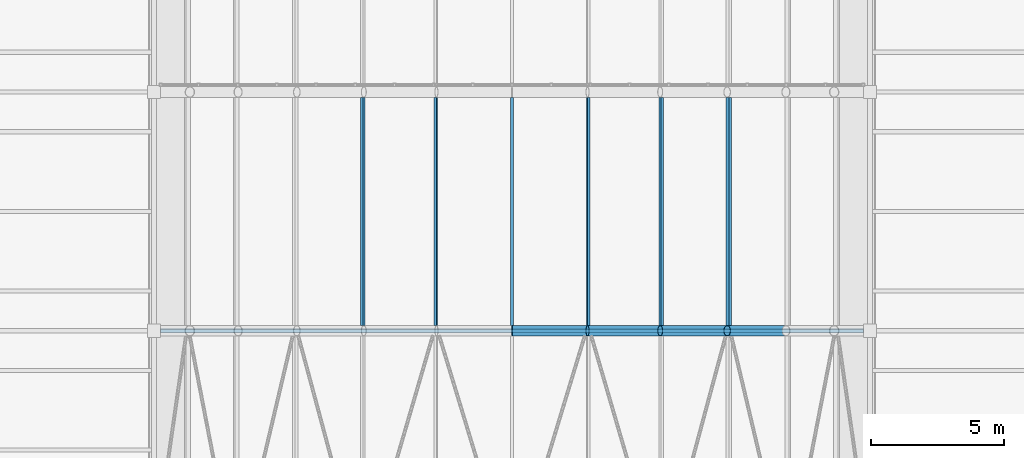
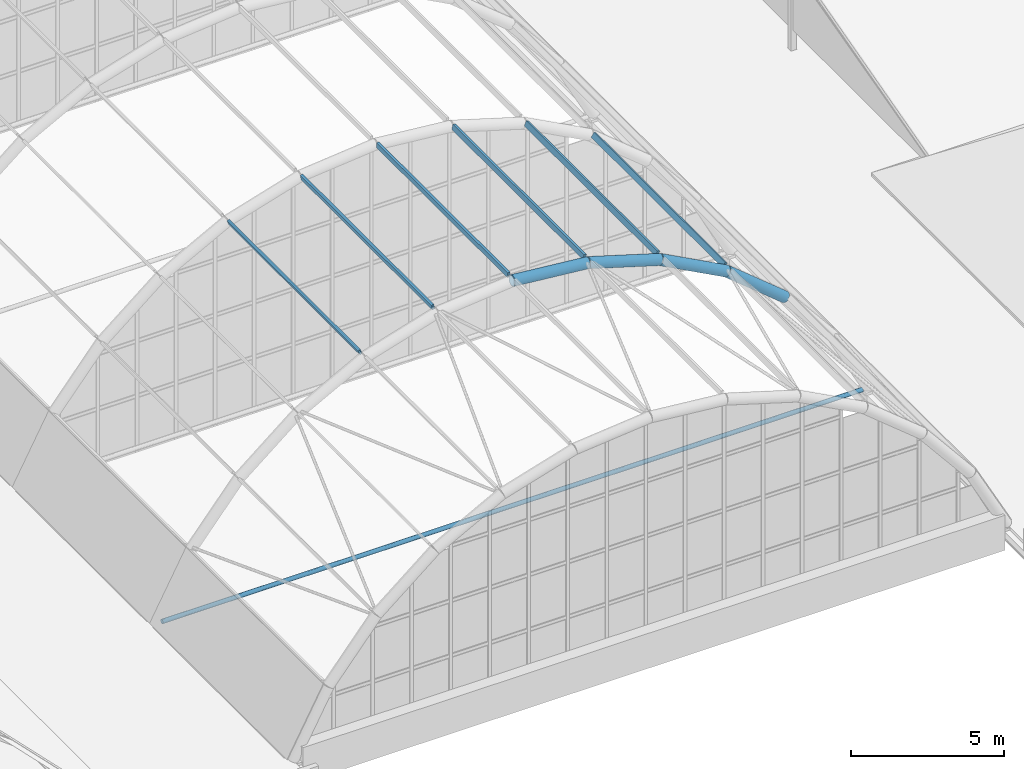
# One storey, part 25 of 121: 11 members.
"""IFC4 building model written with IfcOpenShell, lengths in metres."""

from ifc_helpers import new_model, si_unit, direction, frame, origin, origin_2d, place, context, subcontext, project, spatial, hollow_rectangle, hollow_circle, extrude, material, material_profile, profile_set, type_object, element, save


model = new_model("IFC4")

# Units and contexts
model_context = context("Model", 3, precision=1e-05, world=origin(), true_north=direction((0.0, 1.0)))
body_context = subcontext(model_context, "Body", "Model", "MODEL_VIEW")
ifc_project = project(units=[si_unit("LENGTHUNIT", "METRE"), si_unit("AREAUNIT", "SQUARE_METRE"), si_unit("VOLUMEUNIT", "CUBIC_METRE"), si_unit("PLANEANGLEUNIT", "RADIAN"), si_unit("MASSUNIT", "GRAM", prefix="KILO")], contexts=[model_context])

# Site, building, storey
site_placement = place(None, origin())
site = spatial("IfcSite", under=ifc_project, at=site_placement, CompositionType="ELEMENT")
building_placement = place(site_placement, origin())
building = spatial("IfcBuilding", under=site, at=building_placement, Name="Golden Quay Civic Hall", CompositionType="ELEMENT")
storey_placement = place(building_placement, frame((0.0, 0.0, 18.60009765625)))
storey = spatial("IfcBuildingStorey", under=building, at=storey_placement, Name="L04", CompositionType="ELEMENT", Elevation=18.60009765625)

# Members
ifc_material_1 = material(Name="Steel S355", Category="steel")
ifc_material_profile_1 = material_profile(ifc_material_1, hollow_circle(Radius=0.203125, WallThickness=0.01611328125, at=origin_2d()), Name="CHS 406.4x16")
ifc_profile_set_1 = profile_set([ifc_material_profile_1], Name="Steel S355")
member_type_1 = type_object("IfcMemberType", Name="Steel arch rib CHS 406.4x16", PredefinedType="USERDEFINED", material=ifc_profile_set_1)
member_1_placement = place(storey_placement, frame((85.5, 9.0, 9.099853515625), z_axis=(0.995201360973, 0.0, -0.097848102266), x_axis=(0.0, 1.0, 0.0)))
element("IfcMember", 1, at=member_1_placement, inside=storey, type_object=member_type_1, Name="Arch rib 2 segment 7", ObjectType="ARCH RIB", PredefinedType="USERDEFINED", context=body_context, shape_type="SweptSolid", body=[
    extrude(hollow_circle(Radius=0.203125, WallThickness=0.01611328125, at=origin_2d()), origin(), (0.0, 0.0, 1.0), 2.86181640625),
])
member_2_placement = place(storey_placement, frame((88.34814453125, 9.0, 8.81982421875), z_axis=(0.957095401463, 0.0, -0.289773001673), x_axis=(0.0, 1.0, 0.0)))
element("IfcMember", 2, at=member_2_placement, inside=storey, type_object=member_type_1, Name="Arch rib 2 segment 8", ObjectType="ARCH RIB", PredefinedType="USERDEFINED", context=body_context, shape_type="SweptSolid", body=[
    extrude(hollow_circle(Radius=0.203125, WallThickness=0.01611328125, at=origin_2d()), origin(), (0.0, 0.0, 1.0), 2.862060546875),
])
for number, where, z_axis, x_axis, name in (
    (3, (91.08740234375, 9.0, 7.990478515625), (0.882326964097, 0.0, -0.470636939082), (0.0, 1.0, 0.0), "Arch rib 2 segment 9"),
    (4, (93.612548828125, 9.0, 6.6435546875), (0.773786223221, 0.0, -0.633446825514), (0.0, 1.0, 0.0), "Arch rib 2 segment 10"),
):
    element("IfcMember", number, at=place(storey_placement, frame(where, z_axis=z_axis, x_axis=x_axis)), inside=storey, type_object=member_type_1, Name=name, ObjectType="ARCH RIB", PredefinedType="USERDEFINED", context=body_context, shape_type="SweptSolid", body=[
        extrude(hollow_circle(Radius=0.203125, WallThickness=0.01611328125, at=origin_2d()), origin(), (0.0, 0.0, 1.0), 2.86181640625),
    ])
ifc_material_2 = material(Name="Steel S355", Category="steel")
ifc_material_profile_2 = material_profile(ifc_material_2, hollow_rectangle(XDim=0.10009765625, YDim=0.199951171875, WallThickness=0.008056640625, at=origin_2d()), Name="RHS 200x100x8")
ifc_profile_set_2 = profile_set([ifc_material_profile_2], Name="Steel S355")
member_type_2 = type_object("IfcMemberType", Name="Steel purlin RHS 200x100x8", PredefinedType="PURLIN", material=ifc_profile_set_2)
for number, where, z_axis, x_axis, name in (
    (5, (79.873291015625, 9.203125, 8.0859375), (0.0, 1.0, 0.0), (-0.924146170615, 0.0, -0.382039075668), "Purlin 2.5"),
    (6, (82.631591796875, 9.203125, 8.921142578125), (0.0, 1.0, 0.0), (-0.98085324351, 0.0, -0.194748336824), "Purlin 2.6"),
    (7, (85.5, 9.203125, 9.203125), (0.0, 1.0, 0.0), (-1.0, 0.0, 0.0), "Purlin 2.7"),
    (8, (88.368408203125, 9.203125, 8.921142578125), (0.0, 1.0, 0.0), (-0.98085324351, 0.0, 0.194748336824), "Purlin 2.8"),
    (9, (91.126708984375, 9.203125, 8.0859375), (0.0, 1.0, 0.0), (-0.924146170615, 0.0, 0.382039075668), "Purlin 2.9"),
    (10, (93.669677734375, 9.203125, 6.7294921875), (0.0, 1.0, 0.0), (-0.832050294338, 0.0, 0.554700196226), "Purlin 2.10"),
):
    element("IfcMember", number, at=place(storey_placement, frame(where, z_axis=z_axis, x_axis=x_axis)), inside=storey, type_object=member_type_2, Name=name, PredefinedType="PURLIN", context=body_context, shape_type="SweptSolid", body=[
        extrude(hollow_rectangle(XDim=0.10009765625, YDim=0.199951171875, WallThickness=0.008056640625, at=origin_2d()), origin(), (0.0, 0.0, 1.0), 8.59375),
    ])
ifc_material_3 = material(Name="Steel S355", Category="steel")
ifc_material_profile_3 = material_profile(ifc_material_3, hollow_circle(Radius=0.084228515625, WallThickness=0.008056640625, at=origin_2d()), Name="CHS 168.3x8")
ifc_profile_set_3 = profile_set([ifc_material_profile_3], Name="Steel S355")
member_type_3 = type_object("IfcMemberType", Name="Steel tie rod CHS 168.3x8", PredefinedType="USERDEFINED", material=ifc_profile_set_3)
member_3_placement = place(storey_placement, frame((72.25, 9.0, 0.099853515625), z_axis=(1.0, 0.0, 0.0), x_axis=(0.0, 1.0, 0.0)))
element("IfcMember", 11, at=member_3_placement, inside=storey, type_object=member_type_3, Name="Springing tie 2", ObjectType="TIE ROD", PredefinedType="USERDEFINED", context=body_context, shape_type="SweptSolid", body=[
    extrude(hollow_circle(Radius=0.084228515625, WallThickness=0.008056640625, at=origin_2d()), origin(), (0.0, 0.0, 1.0), 26.5),
])

save(model, "model.ifc")
